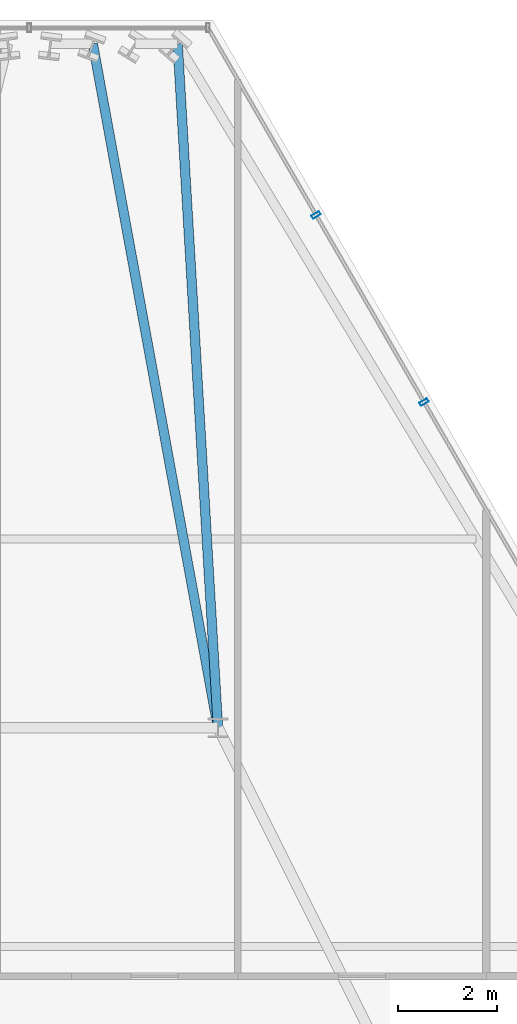
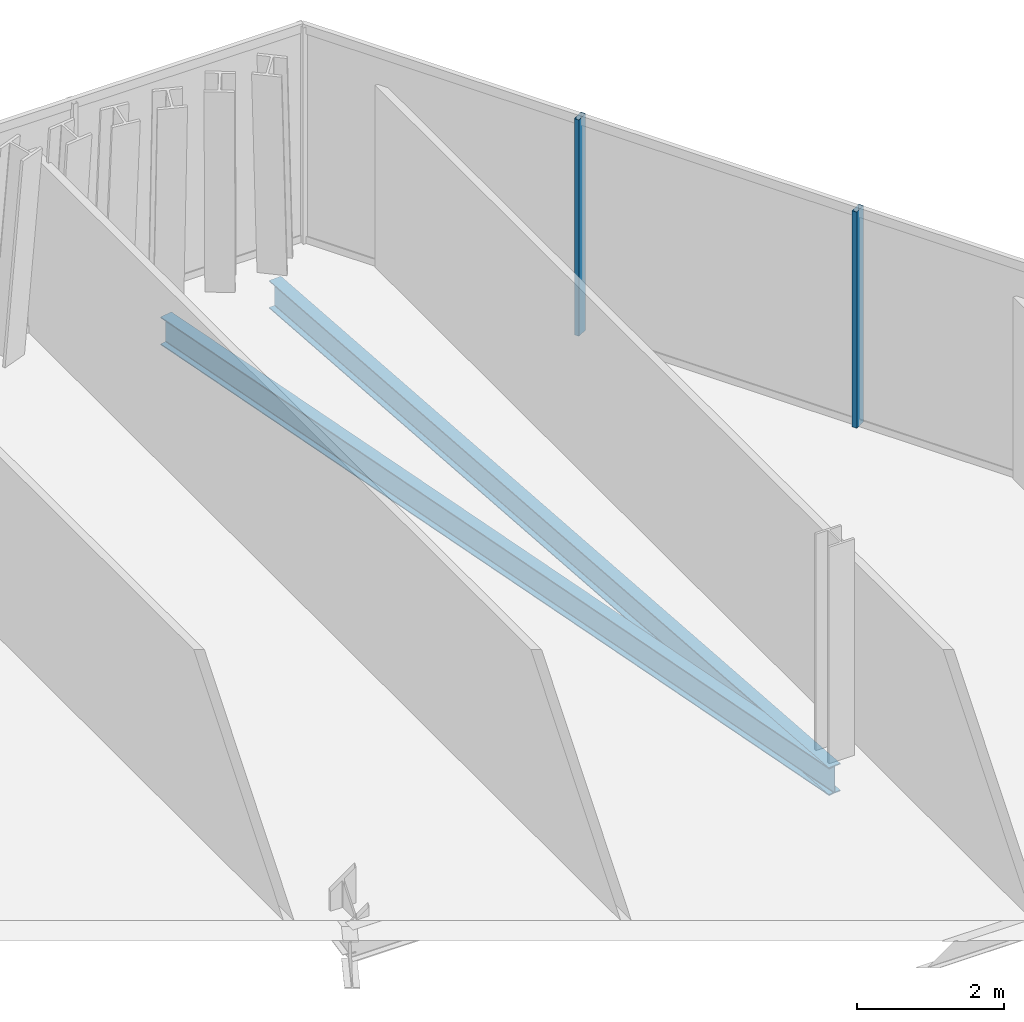
# One storey, part 21 of 29: 2 beams, 2 members, 1 element without a shape of its own.
"""IFC4 building model written with IfcOpenShell, lengths in metres."""

from ifc_helpers import new_model, si_unit, direction, frame, origin, origin_2d, place, context, subcontext, project, spatial, hollow_rectangle, i_section, extrude, material, layer, layer_set, material_profile, profile_set, type_object, element, aggregate, save


model = new_model("IFC4")

# Units and contexts
model_context = context("Model", 3, precision=1e-05, world=origin(), true_north=direction((0.0, 1.0)))
body_context = subcontext(model_context, "Body", "Model", "MODEL_VIEW")
ifc_project = project(units=[si_unit("LENGTHUNIT", "METRE"), si_unit("AREAUNIT", "SQUARE_METRE"), si_unit("VOLUMEUNIT", "CUBIC_METRE"), si_unit("PLANEANGLEUNIT", "RADIAN"), si_unit("MASSUNIT", "GRAM", prefix="KILO")], contexts=[model_context])

# Site, building, storey
site_placement = place(None, origin())
site = spatial("IfcSite", under=ifc_project, at=site_placement, CompositionType="ELEMENT")
building_placement = place(site_placement, origin())
building = spatial("IfcBuilding", under=site, at=building_placement, Name="Ndaravel Arena Tower", CompositionType="ELEMENT")
storey_placement = place(building_placement, frame((0.0, 0.0, 237.0)))
storey = spatial("IfcBuildingStorey", under=building, at=storey_placement, Name="L57", CompositionType="ELEMENT", Elevation=237.0)

# Beams
ifc_material_1 = material(Name="Steel S355", Category="steel")
ifc_material_profile_1 = material_profile(ifc_material_1, i_section(OverallWidth=0.19140625, OverallDepth=0.4599609375, WebThickness=0.010009765625, FlangeThickness=0.01611328125, FilletRadius=0.01025390625, at=origin_2d()), Name="UB 457x191x82")
ifc_profile_set_1 = profile_set([ifc_material_profile_1], Name="Steel S355")
beam_type = type_object("IfcBeamType", Name="BM-GIRD-UB457", PredefinedType="BEAM", material=ifc_profile_set_1)
beam_1_placement = place(storey_placement, frame((44.988037109375, 44.968994140625, -0.449951171875), z_axis=(0.058871436847, -0.998265572843, 0.0), x_axis=(0.998265572843, 0.058871436847, 0.0)))
element("IfcBeam", 1, at=beam_1_placement, inside=storey, type_object=beam_type, Name="L57 Radial Floor Girder FG-11", PredefinedType="BEAM", context=body_context, shape_type="SweptSolid", body=[
    extrude(i_section(OverallWidth=0.19140625, OverallDepth=0.4599609375, WebThickness=0.010009765625, FlangeThickness=0.01611328125, FilletRadius=0.01025390625, at=origin_2d()), origin(), (0.0, 0.0, 1.0), 13.79296875),
])
beam_2_placement = place(storey_placement, frame((43.280517578125, 44.968994140625, -0.449951171875), z_axis=(0.17999655867, -0.983667239907, 0.0), x_axis=(0.983667239907, 0.17999655867, 0.0)))
element("IfcBeam", 2, at=beam_2_placement, inside=storey, type_object=beam_type, Name="L57 Radial Floor Girder FG-13", PredefinedType="BEAM", context=body_context, shape_type="SweptSolid", body=[
    extrude(i_section(OverallWidth=0.19140625, OverallDepth=0.4599609375, WebThickness=0.010009765625, FlangeThickness=0.01611328125, FilletRadius=0.01025390625, at=origin_2d()), origin(), (0.0, 0.0, 1.0), 13.99755859375),
])

# Curtain wall, members
ifc_material_2 = material(Name="Aluminium", Category="aluminium")
ifc_layer = layer(ifc_material_2, 0.179931640625)
ifc_layer_set = layer_set([ifc_layer], Name="Aluminium")
curtain_wall_type = type_object("IfcCurtainWallType", Name="CW-SYS-03", PredefinedType="NOTDEFINED", material=ifc_layer_set)
curtain_wall_placement = place(storey_placement, origin())
curtain_wall = element("IfcCurtainWall", 3, at=curtain_wall_placement, inside=storey, type_object=curtain_wall_type, Name="L57 Faceted Crystal Curtain Wall CW-L57-E03", PredefinedType="NOTDEFINED")
ifc_material_3 = material(Name="Aluminium", Category="aluminium")
ifc_material_profile_2 = material_profile(ifc_material_3, hollow_rectangle(XDim=0.074951171875, YDim=0.179931640625, WallThickness=0.00390625, at=origin_2d()), Name="CW MULLION 75x180x4")
ifc_profile_set_2 = profile_set([ifc_material_profile_2], Name="Aluminium")
member_type = type_object("IfcMemberType", Name="MEM-CW-MUL180", PredefinedType="MULLION", material=ifc_profile_set_2)
member_1_placement = place(storey_placement, frame((49.9482421875, 37.7568359375, 0.0), z_axis=(0.0, 0.0, 1.0), x_axis=(-0.5, 0.866025403784, 0.0)))
member_1 = element("IfcMember", 4, at=member_1_placement, type_object=member_type, Name="CW-L57-E03 Mullion 07", PredefinedType="MULLION", context=body_context, shape_type="SweptSolid", body=[
    extrude(hollow_rectangle(XDim=0.074951171875, YDim=0.179931640625, WallThickness=0.00390625, at=origin_2d()), origin(), (0.0, 0.0, 1.0), 3.580078125),
])
member_2_placement = place(storey_placement, frame((47.77392578125, 41.52294921875, 0.0), z_axis=(0.0, 0.0, 1.0), x_axis=(-0.5, 0.866025403784, 0.0)))
member_2 = element("IfcMember", 5, at=member_2_placement, type_object=member_type, Name="CW-L57-E03 Mullion 08", PredefinedType="MULLION", context=body_context, shape_type="SweptSolid", body=[
    extrude(hollow_rectangle(XDim=0.074951171875, YDim=0.179931640625, WallThickness=0.00390625, at=origin_2d()), origin(), (0.0, 0.0, 1.0), 3.580078125),
])
aggregate(curtain_wall, [member_1, member_2])

save(model, "model.ifc")
